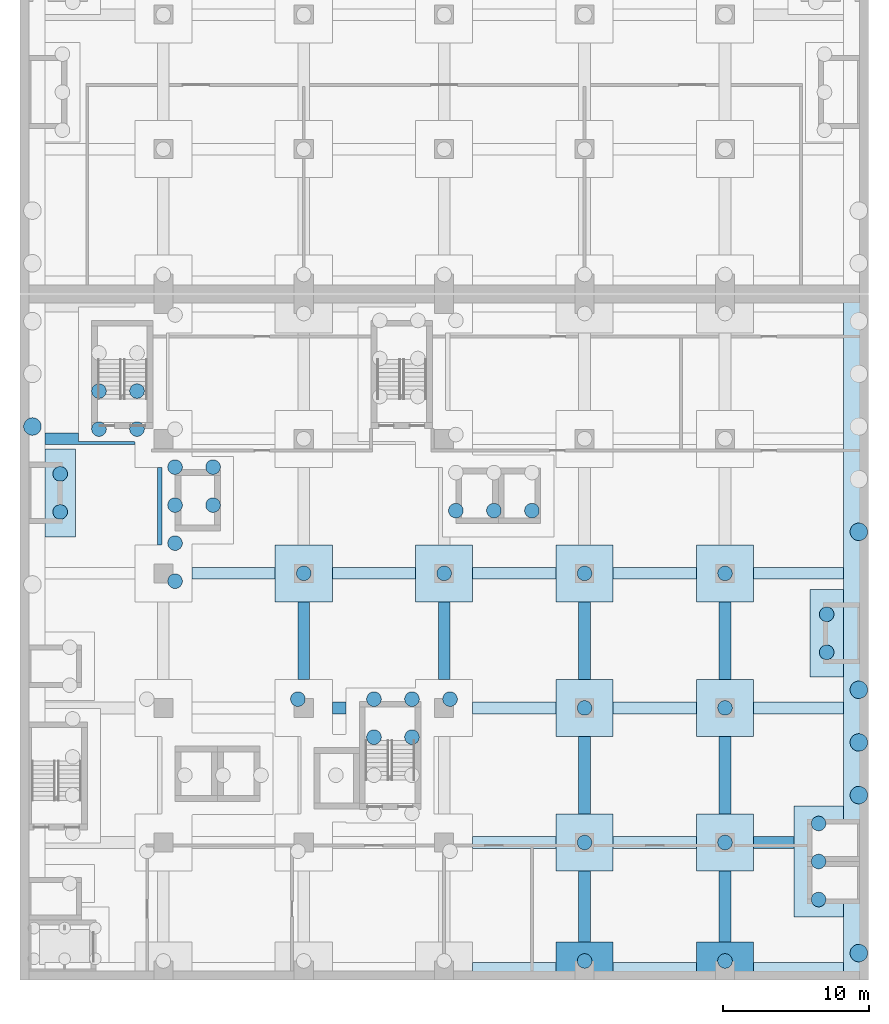
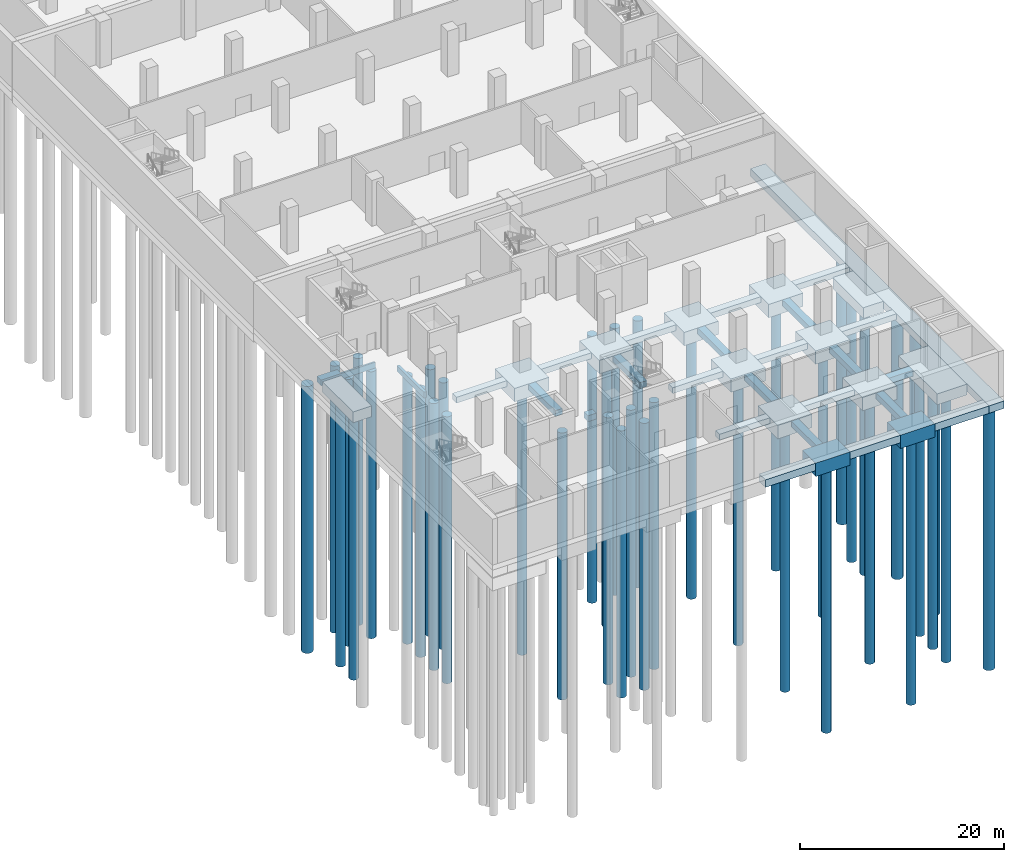
# One storey, part 2 of 33: 42 piles, 39 footings.
"""IFC4 building model written with IfcOpenShell, lengths in metres."""

from ifc_helpers import new_model, si_unit, direction, frame, origin, origin_2d, place, context, subcontext, project, spatial, polyline, circle, outline, extrude, material, layer, layer_set, material_profile, profile_set, type_object, element, save


model = new_model("IFC4")

# Units and contexts
model_context = context("Model", 3, precision=1e-05, world=origin(), true_north=direction((0.0, 1.0)))
body_context = subcontext(model_context, "Body", "Model", "MODEL_VIEW")
ifc_project = project(units=[si_unit("LENGTHUNIT", "METRE"), si_unit("AREAUNIT", "SQUARE_METRE"), si_unit("VOLUMEUNIT", "CUBIC_METRE"), si_unit("PLANEANGLEUNIT", "RADIAN"), si_unit("MASSUNIT", "GRAM", prefix="KILO")], contexts=[model_context])

# Site, building, storey
site_placement = place(None, origin())
site = spatial("IfcSite", under=ifc_project, at=site_placement, CompositionType="ELEMENT")
building_placement = place(site_placement, origin())
building = spatial("IfcBuilding", under=site, at=building_placement, Name="Nzadi Deep Aquarium and Research Tower", CompositionType="ELEMENT")
storey_placement = place(building_placement, frame((0.0, 0.0, -5.5)))
storey = spatial("IfcBuildingStorey", under=building, at=storey_placement, Name="B1", CompositionType="ELEMENT", Elevation=-5.5)

# Piles
ifc_material_1 = material(Name="Concrete C40/50", Category="concrete")
ifc_material_profile_1 = material_profile(ifc_material_1, circle(Radius=0.5, at=origin_2d()))
ifc_profile_set_1 = profile_set([ifc_material_profile_1], Name="Concrete C40/50")
pile_type_1 = type_object("IfcPileType", Name="Bored pile D1000", PredefinedType="BORED", material=ifc_profile_set_1)
for number, where, z_axis, x_axis, name in (
    (1, (38.39990234375, 1.10009765625, -2.10009765625), (0.0, 0.0, -1.0), (1.0, 0.0, 0.0), "P-Z1-04-1"),
    (2, (47.999755859375, 1.10009765625, -2.10009765625), (0.0, 0.0, -1.0), (1.0, 0.0, 0.0), "P-Z1-05-1"),
    (3, (54.39990234375, 5.300048828125, -1.800048828125), (0.0, 0.0, -1.0), (1.0, 0.0, 0.0), "P-Z1-06-1"),
    (4, (54.39990234375, 7.900146484375, -1.800048828125), (0.0, 0.0, -1.0), (1.0, 0.0, 0.0), "P-Z1-06-2"),
    (5, (54.39990234375, 10.5, -1.800048828125), (0.0, 0.0, -1.0), (1.0, 0.0, 0.0), "P-Z1-06-3"),
    (6, (18.800048828125, 19.0, -2.10009765625), (0.0, 0.0, -1.0), (1.0, 0.0, 0.0), "P-Z1-09-2"),
    (7, (24.0, 16.39990234375, -2.10009765625), (0.0, 0.0, -1.0), (1.0, 0.0, 0.0), "P-Z1-09-6"),
    (8, (24.0, 19.0, -2.10009765625), (0.0, 0.0, -1.0), (1.0, 0.0, 0.0), "P-Z1-09-7"),
    (9, (26.60009765625, 16.39990234375, -2.10009765625), (0.0, 0.0, -1.0), (1.0, 0.0, 0.0), "P-Z1-09-10"),
    (10, (26.60009765625, 19.0, -2.10009765625), (0.0, 0.0, -1.0), (1.0, 0.0, 0.0), "P-Z1-09-11"),
    (11, (29.199951171875, 19.0, -2.10009765625), (0.0, 0.0, -1.0), (1.0, 0.0, 0.0), "P-Z1-09-13"),
    (12, (38.39990234375, 9.2001953125, -2.10009765625), (0.0, 0.0, -1.0), (1.0, 0.0, 0.0), "P-Z1-10-1"),
    (13, (48.0, 9.2001953125, -2.10009765625), (0.0, 0.0, -1.0), (1.0, 0.0, 0.0), "P-Z1-11-1"),
    (14, (38.39990234375, 18.400146484375, -2.10009765625), (0.0, 0.0, -1.0), (1.0, 0.0, 0.0), "P-Z1-13-1"),
    (15, (48.0, 18.400146484375, -2.10009765625), (0.0, 0.0, -1.0), (1.0, 0.0, 0.0), "P-Z1-14-1"),
    (16, (54.949951171875, 22.2001953125, -1.800048828125), (0.0, 0.0, -1.0), (1.0, 0.0, 0.0), "P-Z1-16-1"),
    (17, (54.949951171875, 24.800048828125, -1.800048828125), (0.0, 0.0, -1.0), (1.0, 0.0, 0.0), "P-Z1-16-2"),
    (18, (5.199951171875, 37.465087890625, -2.10009765625), (0.0, 0.0, -1.0), (1.0, 0.0, 0.0), "P-Z1-17-1"),
    (19, (5.199951171875, 40.065185546875, -2.10009765625), (0.0, 0.0, -1.0), (1.0, 0.0, 0.0), "P-Z1-17-2"),
    (20, (7.800048828125, 37.465087890625, -2.10009765625), (0.0, 0.0, -1.0), (1.0, 0.0, 0.0), "P-Z1-17-4"),
    (21, (7.800048828125, 40.065185546875, -2.10009765625), (0.0, 0.0, -1.0), (1.0, 0.0, 0.0), "P-Z1-17-5"),
    (22, (10.39990234375, 27.065185546875, -2.10009765625), (0.0, 0.0, -1.0), (1.0, 0.0, 0.0), "P-Z1-17-7"),
    (23, (10.39990234375, 29.6650390625, -2.10009765625), (0.0, 0.0, -1.0), (1.0, 0.0, 0.0), "P-Z1-17-8"),
    (24, (10.39990234375, 32.26513671875, -2.10009765625), (0.0, 0.0, -1.0), (1.0, 0.0, 0.0), "P-Z1-17-9"),
    (25, (10.39990234375, 34.864990234375, -2.10009765625), (0.0, 0.0, -1.0), (1.0, 0.0, 0.0), "P-Z1-17-10"),
    (26, (13.0, 32.26513671875, -2.10009765625), (0.0, 0.0, -1.0), (1.0, 0.0, 0.0), "P-Z1-17-13"),
    (27, (13.0, 34.864990234375, -2.10009765625), (0.0, 0.0, -1.0), (1.0, 0.0, 0.0), "P-Z1-17-14"),
    (28, (19.199951171875, 27.60009765625, -2.10009765625), (0.0, 0.0, -1.0), (1.0, 0.0, 0.0), "P-Z1-18-1"),
    (29, (28.800048828125, 27.60009765625, -2.10009765625), (0.0, 0.0, -1.0), (1.0, 0.0, 0.0), "P-Z1-19-1"),
    (30, (38.39990234375, 27.60009765625, -2.10009765625), (0.0, 0.0, -1.0), (1.0, 0.0, 0.0), "P-Z1-20-1"),
    (31, (48.0, 27.60009765625, -2.10009765625), (0.0, 0.0, -1.0), (1.0, 0.0, 0.0), "P-Z1-21-1"),
    (32, (2.550048828125, 31.80029296875, -1.800048828125), (0.0, 0.0, -1.0), (1.0, 0.0, 0.0), "P-Z1-22-1"),
    (33, (2.550048828125, 34.400146484375, -1.800048828125), (0.0, 0.0, -1.0), (1.0, 0.0, 0.0), "P-Z1-22-2"),
    (34, (29.599853515625, 31.89013671875, -2.10009765625), (0.0, 0.0, -1.0), (1.0, 0.0, 0.0), "P-Z1-23-7"),
    (35, (32.199951171875, 31.89013671875, -2.10009765625), (0.0, 0.0, -1.0), (1.0, 0.0, 0.0), "P-Z1-23-11"),
    (36, (34.800048828125, 31.89013671875, -2.10009765625), (0.0, 0.0, -1.0), (1.0, 0.0, 0.0), "P-Z1-23-13"),
):
    element("IfcPile", number, at=place(storey_placement, frame(where, z_axis=z_axis, x_axis=x_axis)), inside=storey, type_object=pile_type_1, Name=name, PredefinedType="BORED", context=body_context, shape_type="SweptSolid", body=[
        extrude(circle(Radius=0.5, at=origin_2d()), origin(), (0.0, 0.0, 1.0), 32.0),
    ])
ifc_material_2 = material(Name="Concrete C40/50", Category="concrete")
ifc_material_profile_2 = material_profile(ifc_material_2, circle(Radius=0.60009765625, at=origin_2d()))
ifc_profile_set_2 = profile_set([ifc_material_profile_2], Name="Concrete C40/50")
pile_type_2 = type_object("IfcPileType", Name="Bored pile D1200", PredefinedType="BORED", material=ifc_profile_set_2)
for number, where, z_axis, x_axis, name in (
    (37, (0.64990234375, 37.639892578125, -1.39990234375), (0.0, 0.0, -1.0), (1.0, 0.0, 0.0), "P-Z1-Z1-W-2"),
    (38, (57.14990234375, 1.639892578125, -1.39990234375), (0.0, 0.0, -1.0), (1.0, 0.0, 0.0), "P-Z1-Z1-E-1"),
    (39, (57.14990234375, 12.43994140625, -1.39990234375), (0.0, 0.0, -1.0), (1.0, 0.0, 0.0), "P-Z1-Z1-E-2"),
    (40, (57.14990234375, 16.0400390625, -1.39990234375), (0.0, 0.0, -1.0), (1.0, 0.0, 0.0), "P-Z1-Z1-E-3"),
    (41, (57.14990234375, 19.639892578125, -1.39990234375), (0.0, 0.0, -1.0), (1.0, 0.0, 0.0), "P-Z1-Z1-E-4"),
    (42, (57.14990234375, 30.43994140625, -1.39990234375), (0.0, 0.0, -1.0), (1.0, 0.0, 0.0), "P-Z1-Z1-E-5"),
):
    element("IfcPile", number, at=place(storey_placement, frame(where, z_axis=z_axis, x_axis=x_axis)), inside=storey, type_object=pile_type_2, Name=name, PredefinedType="BORED", context=body_context, shape_type="SweptSolid", body=[
        extrude(circle(Radius=0.60009765625, at=origin_2d()), origin(), (0.0, 0.0, 1.0), 32.0),
    ])

# Footings
ifc_material_3 = material(Name="Concrete C40/50", Category="concrete")
ifc_layer_1 = layer(ifc_material_3, 0.699951171875)
ifc_layer_set_1 = layer_set([ifc_layer_1], Name="Concrete C40/50")
footing_type_1 = type_object("IfcFootingType", Name="RC ground beam 700", PredefinedType="FOOTING_BEAM", material=ifc_layer_set_1)
footing_1_placement = place(storey_placement, frame((0.0, 0.0, -1.300048828125)))
element("IfcFooting", 43, at=footing_1_placement, inside=storey, type_object=footing_type_1, Name="SF-Z1-TX2-4", PredefinedType="FOOTING_BEAM", context=body_context, shape_type="SweptSolid", body=[
    extrude(outline(polyline([(36.449951171875, 9.60009765625), (30.75, 9.60009765625), (30.75, 8.800048828125), (36.449951171875, 8.800048828125), (36.449951171875, 9.60009765625)])), origin(), (0.0, 0.0, 1.0), 0.699951171875),
])
footing_2_placement = place(storey_placement, frame((0.0, 0.0, -1.300048828125)))
element("IfcFooting", 44, at=footing_2_placement, inside=storey, type_object=footing_type_1, Name="SF-Z1-TX2-5", PredefinedType="FOOTING_BEAM", context=body_context, shape_type="SweptSolid", body=[
    extrude(outline(polyline([(46.050048828125, 9.60009765625), (40.35009765625, 9.60009765625), (40.35009765625, 8.800048828125), (46.050048828125, 8.800048828125), (46.050048828125, 9.60009765625)])), origin(), (0.0, 0.0, 1.0), 0.699951171875),
])
footing_3_placement = place(storey_placement, frame((0.0, 0.0, -1.300048828125)))
element("IfcFooting", 45, at=footing_3_placement, inside=storey, type_object=footing_type_1, Name="SF-Z1-TX2-6", PredefinedType="FOOTING_BEAM", context=body_context, shape_type="SweptSolid", body=[
    extrude(outline(polyline([(52.699951171875, 9.60009765625), (49.949951171875, 9.60009765625), (49.949951171875, 8.800048828125), (52.699951171875, 8.800048828125), (52.699951171875, 9.60009765625)])), origin(), (0.0, 0.0, 1.0), 0.699951171875),
])
footing_4_placement = place(storey_placement, frame((0.0, 0.0, -1.300048828125)))
element("IfcFooting", 46, at=footing_4_placement, inside=storey, type_object=footing_type_1, Name="SF-Z1-TX3-3", PredefinedType="FOOTING_BEAM", context=body_context, shape_type="SweptSolid", body=[
    extrude(outline(polyline([(22.10009765625, 18.800048828125), (21.14990234375, 18.800048828125), (21.14990234375, 18.0), (22.10009765625, 18.0), (22.10009765625, 18.800048828125)])), origin(), (0.0, 0.0, 1.0), 0.699951171875),
])
footing_5_placement = place(storey_placement, frame((0.0, 0.0, -1.300048828125)))
element("IfcFooting", 47, at=footing_5_placement, inside=storey, type_object=footing_type_1, Name="SF-Z1-TX3-4", PredefinedType="FOOTING_BEAM", context=body_context, shape_type="SweptSolid", body=[
    extrude(outline(polyline([(36.449951171875, 18.800048828125), (30.75, 18.800048828125), (30.75, 18.0), (36.449951171875, 18.0), (36.449951171875, 18.800048828125)])), origin(), (0.0, 0.0, 1.0), 0.699951171875),
])
footing_6_placement = place(storey_placement, frame((0.0, 0.0, -1.300048828125)))
element("IfcFooting", 48, at=footing_6_placement, inside=storey, type_object=footing_type_1, Name="SF-Z1-TX3-5", PredefinedType="FOOTING_BEAM", context=body_context, shape_type="SweptSolid", body=[
    extrude(outline(polyline([(46.050048828125, 18.800048828125), (40.35009765625, 18.800048828125), (40.35009765625, 18.0), (46.050048828125, 18.0), (46.050048828125, 18.800048828125)])), origin(), (0.0, 0.0, 1.0), 0.699951171875),
])
footing_7_placement = place(storey_placement, frame((0.0, 0.0, -1.300048828125)))
element("IfcFooting", 49, at=footing_7_placement, inside=storey, type_object=footing_type_1, Name="SF-Z1-TX3-6", PredefinedType="FOOTING_BEAM", context=body_context, shape_type="SweptSolid", body=[
    extrude(outline(polyline([(56.10009765625, 18.0), (56.10009765625, 18.800048828125), (49.949951171875, 18.800048828125), (49.949951171875, 18.0), (56.10009765625, 18.0)])), origin(), (0.0, 0.0, 1.0), 0.699951171875),
])
footing_8_placement = place(storey_placement, frame((0.0, 0.0, -1.300048828125)))
element("IfcFooting", 50, at=footing_8_placement, inside=storey, type_object=footing_type_1, Name="SF-Z1-TX4-2", PredefinedType="FOOTING_BEAM", context=body_context, shape_type="SweptSolid", body=[
    extrude(outline(polyline([(17.25, 28.0), (11.550048828125, 28.0), (11.550048828125, 27.199951171875), (17.25, 27.199951171875), (17.25, 28.0)])), origin(), (0.0, 0.0, 1.0), 0.699951171875),
])
footing_9_placement = place(storey_placement, frame((0.0, 0.0, -1.300048828125)))
element("IfcFooting", 51, at=footing_9_placement, inside=storey, type_object=footing_type_1, Name="SF-Z1-TX4-3", PredefinedType="FOOTING_BEAM", context=body_context, shape_type="SweptSolid", body=[
    extrude(outline(polyline([(26.85009765625, 28.0), (21.14990234375, 28.0), (21.14990234375, 27.199951171875), (26.85009765625, 27.199951171875), (26.85009765625, 28.0)])), origin(), (0.0, 0.0, 1.0), 0.699951171875),
])
footing_10_placement = place(storey_placement, frame((0.0, 0.0, -1.300048828125)))
element("IfcFooting", 52, at=footing_10_placement, inside=storey, type_object=footing_type_1, Name="SF-Z1-TX4-4", PredefinedType="FOOTING_BEAM", context=body_context, shape_type="SweptSolid", body=[
    extrude(outline(polyline([(36.449951171875, 28.0), (30.75, 28.0), (30.75, 27.199951171875), (36.449951171875, 27.199951171875), (36.449951171875, 28.0)])), origin(), (0.0, 0.0, 1.0), 0.699951171875),
])
footing_11_placement = place(storey_placement, frame((0.0, 0.0, -1.300048828125)))
element("IfcFooting", 53, at=footing_11_placement, inside=storey, type_object=footing_type_1, Name="SF-Z1-TX4-5", PredefinedType="FOOTING_BEAM", context=body_context, shape_type="SweptSolid", body=[
    extrude(outline(polyline([(46.050048828125, 28.0), (40.35009765625, 28.0), (40.35009765625, 27.199951171875), (46.050048828125, 27.199951171875), (46.050048828125, 28.0)])), origin(), (0.0, 0.0, 1.0), 0.699951171875),
])
footing_12_placement = place(storey_placement, frame((0.0, 0.0, -1.300048828125)))
element("IfcFooting", 54, at=footing_12_placement, inside=storey, type_object=footing_type_1, Name="SF-Z1-TX4-6", PredefinedType="FOOTING_BEAM", context=body_context, shape_type="SweptSolid", body=[
    extrude(outline(polyline([(56.10009765625, 27.199951171875), (56.10009765625, 28.0), (49.949951171875, 28.0), (49.949951171875, 27.199951171875), (56.10009765625, 27.199951171875)])), origin(), (0.0, 0.0, 1.0), 0.699951171875),
])
footing_13_placement = place(storey_placement, frame((0.0, 0.0, -1.300048828125)))
element("IfcFooting", 55, at=footing_13_placement, inside=storey, type_object=footing_type_1, Name="SF-Z1-TX5-1", PredefinedType="FOOTING_BEAM", context=body_context, shape_type="SweptSolid", body=[
    extrude(outline(polyline([(3.800048828125, 37.199951171875), (1.5, 37.199951171875), (1.5, 36.39990234375), (7.64990234375, 36.39990234375), (7.64990234375, 36.550048828125), (7.649658203125, 36.554931640625), (7.64892578125, 36.559814453125), (7.64794921875, 36.564453125), (7.646240234375, 36.569091796875), (7.64404296875, 36.573486328125), (7.6416015625, 36.577880859375), (7.638671875, 36.581787109375), (7.63525390625, 36.58544921875), (7.6318359375, 36.588623046875), (7.627685546875, 36.591552734375), (7.62353515625, 36.593994140625), (7.619140625, 36.59619140625), (7.614501953125, 36.597900390625), (7.60986328125, 36.59912109375), (7.60498046875, 36.599853515625), (7.60009765625, 36.60009765625), (3.80126953125, 36.60009765625), (3.800048828125, 36.60009765625), (3.800048828125, 36.601318359375), (3.800048828125, 37.199951171875)])), origin(), (0.0, 0.0, 1.0), 0.699951171875),
])
footing_14_placement = place(storey_placement, frame((0.0, 0.0, -1.300048828125)))
element("IfcFooting", 56, at=footing_14_placement, inside=storey, type_object=footing_type_1, Name="SF-Z1-TYB-4", PredefinedType="FOOTING_BEAM", context=body_context, shape_type="SweptSolid", body=[
    extrude(outline(polyline([(9.199951171875, 34.85009765625), (9.199951171875, 29.550048828125), (9.449951171875, 29.550048828125), (9.454833984375, 29.55029296875), (9.459716796875, 29.551025390625), (9.464599609375, 29.55224609375), (9.46923828125, 29.5537109375), (9.4736328125, 29.555908203125), (9.477783203125, 29.558349609375), (9.481689453125, 29.561279296875), (9.4853515625, 29.564697265625), (9.48876953125, 29.568359375), (9.491455078125, 29.572265625), (9.494140625, 29.576416015625), (9.49609375, 29.580810546875), (9.497802734375, 29.58544921875), (9.4990234375, 29.59033203125), (9.499755859375, 29.59521484375), (9.5, 29.60009765625), (9.5, 34.800048828125), (9.499755859375, 34.804931640625), (9.4990234375, 34.809814453125), (9.497802734375, 34.814453125), (9.49609375, 34.819091796875), (9.494140625, 34.823486328125), (9.491455078125, 34.827880859375), (9.48876953125, 34.831787109375), (9.4853515625, 34.83544921875), (9.481689453125, 34.838623046875), (9.477783203125, 34.841552734375), (9.4736328125, 34.843994140625), (9.46923828125, 34.84619140625), (9.464599609375, 34.847900390625), (9.459716796875, 34.84912109375), (9.454833984375, 34.849853515625), (9.449951171875, 34.85009765625), (9.199951171875, 34.85009765625)])), origin(), (0.0, 0.0, 1.0), 0.699951171875),
])
footing_15_placement = place(storey_placement, frame((0.0, 0.0, -1.300048828125)))
element("IfcFooting", 57, at=footing_15_placement, inside=storey, type_object=footing_type_1, Name="SF-Z1-TYC-3", PredefinedType="FOOTING_BEAM", context=body_context, shape_type="SweptSolid", body=[
    extrude(outline(polyline([(19.60009765625, 20.35009765625), (19.60009765625, 25.64990234375), (18.800048828125, 25.64990234375), (18.800048828125, 20.35009765625), (19.60009765625, 20.35009765625)])), origin(), (0.0, 0.0, 1.0), 0.699951171875),
])
footing_16_placement = place(storey_placement, frame((0.0, 0.0, -1.300048828125)))
element("IfcFooting", 58, at=footing_16_placement, inside=storey, type_object=footing_type_1, Name="SF-Z1-TYD-3", PredefinedType="FOOTING_BEAM", context=body_context, shape_type="SweptSolid", body=[
    extrude(outline(polyline([(29.199951171875, 20.35009765625), (29.199951171875, 25.64990234375), (28.39990234375, 25.64990234375), (28.39990234375, 20.35009765625), (29.199951171875, 20.35009765625)])), origin(), (0.0, 0.0, 1.0), 0.699951171875),
])
footing_17_placement = place(storey_placement, frame((0.0, 0.0, -1.300048828125)))
element("IfcFooting", 59, at=footing_17_placement, inside=storey, type_object=footing_type_1, Name="SF-Z1-TYE-1", PredefinedType="FOOTING_BEAM", context=body_context, shape_type="SweptSolid", body=[
    extrude(outline(polyline([(38.800048828125, 2.39990234375), (38.800048828125, 7.25), (38.0, 7.25), (38.0, 2.39990234375), (38.800048828125, 2.39990234375)])), origin(), (0.0, 0.0, 1.0), 0.699951171875),
])
footing_18_placement = place(storey_placement, frame((0.0, 0.0, -1.300048828125)))
element("IfcFooting", 60, at=footing_18_placement, inside=storey, type_object=footing_type_1, Name="SF-Z1-TYE-2", PredefinedType="FOOTING_BEAM", context=body_context, shape_type="SweptSolid", body=[
    extrude(outline(polyline([(38.800048828125, 11.14990234375), (38.800048828125, 16.449951171875), (38.0, 16.449951171875), (38.0, 11.14990234375), (38.800048828125, 11.14990234375)])), origin(), (0.0, 0.0, 1.0), 0.699951171875),
])
footing_19_placement = place(storey_placement, frame((0.0, 0.0, -1.300048828125)))
element("IfcFooting", 61, at=footing_19_placement, inside=storey, type_object=footing_type_1, Name="SF-Z1-TYE-3", PredefinedType="FOOTING_BEAM", context=body_context, shape_type="SweptSolid", body=[
    extrude(outline(polyline([(38.800048828125, 20.35009765625), (38.800048828125, 25.64990234375), (38.0, 25.64990234375), (38.0, 20.35009765625), (38.800048828125, 20.35009765625)])), origin(), (0.0, 0.0, 1.0), 0.699951171875),
])
footing_20_placement = place(storey_placement, frame((0.0, 0.0, -1.300048828125)))
element("IfcFooting", 62, at=footing_20_placement, inside=storey, type_object=footing_type_1, Name="SF-Z1-TYF-1", PredefinedType="FOOTING_BEAM", context=body_context, shape_type="SweptSolid", body=[
    extrude(outline(polyline([(48.39990234375, 2.39990234375), (48.39990234375, 7.25), (47.60009765625, 7.25), (47.60009765625, 2.39990234375), (48.39990234375, 2.39990234375)])), origin(), (0.0, 0.0, 1.0), 0.699951171875),
])
footing_21_placement = place(storey_placement, frame((0.0, 0.0, -1.300048828125)))
element("IfcFooting", 63, at=footing_21_placement, inside=storey, type_object=footing_type_1, Name="SF-Z1-TYF-2", PredefinedType="FOOTING_BEAM", context=body_context, shape_type="SweptSolid", body=[
    extrude(outline(polyline([(48.39990234375, 11.14990234375), (48.39990234375, 16.449951171875), (47.60009765625, 16.449951171875), (47.60009765625, 11.14990234375), (48.39990234375, 11.14990234375)])), origin(), (0.0, 0.0, 1.0), 0.699951171875),
])
footing_22_placement = place(storey_placement, frame((0.0, 0.0, -1.300048828125)))
element("IfcFooting", 64, at=footing_22_placement, inside=storey, type_object=footing_type_1, Name="SF-Z1-TYF-3", PredefinedType="FOOTING_BEAM", context=body_context, shape_type="SweptSolid", body=[
    extrude(outline(polyline([(48.39990234375, 20.35009765625), (48.39990234375, 25.64990234375), (47.60009765625, 25.64990234375), (47.60009765625, 20.35009765625), (48.39990234375, 20.35009765625)])), origin(), (0.0, 0.0, 1.0), 0.699951171875),
])
ifc_material_4 = material(Name="Concrete C40/50", Category="concrete")
ifc_layer_2 = layer(ifc_material_4, 1.300048828125)
ifc_layer_set_2 = layer_set([ifc_layer_2], Name="Concrete C40/50")
footing_type_2 = type_object("IfcFootingType", Name="RC pile cap 1300", PredefinedType="PILE_CAP", material=ifc_layer_set_2)
footing_23_placement = place(storey_placement, frame((0.0, 0.0, -1.89990234375)))
element("IfcFooting", 65, at=footing_23_placement, inside=storey, type_object=footing_type_2, Name="PC-Z1-06", PredefinedType="PILE_CAP", context=body_context, shape_type="SweptSolid", body=[
    extrude(outline(polyline([(52.699951171875, 11.69873046875), (52.699951171875, 4.101318359375), (52.699951171875, 4.10009765625), (52.701171875, 4.10009765625), (56.098876953125, 4.10009765625), (56.099853515625, 4.10009765625), (56.10009765625, 4.101318359375), (56.10009765625, 11.69873046875), (56.099853515625, 11.699951171875), (56.098876953125, 11.699951171875), (52.701171875, 11.699951171875), (52.699951171875, 11.699951171875), (52.699951171875, 11.69873046875)])), origin(), (0.0, 0.0, 1.0), 1.2998046875),
])
footing_24_placement = place(storey_placement, frame((0.0, 0.0, -1.89990234375)))
element("IfcFooting", 66, at=footing_24_placement, inside=storey, type_object=footing_type_2, Name="PC-Z1-16", PredefinedType="PILE_CAP", context=body_context, shape_type="SweptSolid", body=[
    extrude(outline(polyline([(53.800048828125, 26.498779296875), (53.800048828125, 20.501220703125), (53.800048828125, 20.5), (53.80126953125, 20.5), (56.098876953125, 20.5), (56.099853515625, 20.5), (56.10009765625, 20.501220703125), (56.10009765625, 26.498779296875), (56.099853515625, 26.5), (56.098876953125, 26.5), (53.80126953125, 26.5), (53.800048828125, 26.5), (53.800048828125, 26.498779296875)])), origin(), (0.0, 0.0, 1.0), 1.2998046875),
])
footing_25_placement = place(storey_placement, frame((0.0, 0.0, -1.89990234375)))
element("IfcFooting", 67, at=footing_25_placement, inside=storey, type_object=footing_type_2, Name="PC-Z1-22", PredefinedType="PILE_CAP", context=body_context, shape_type="SweptSolid", body=[
    extrude(outline(polyline([(1.5, 36.098876953125), (1.5, 30.101318359375), (1.5, 30.10009765625), (1.501220703125, 30.10009765625), (3.598876953125, 30.10009765625), (3.599853515625, 30.10009765625), (3.60009765625, 30.101318359375), (3.60009765625, 36.098876953125), (3.599853515625, 36.099853515625), (3.598876953125, 36.10009765625), (1.501220703125, 36.10009765625), (1.5, 36.099853515625), (1.5, 36.098876953125)])), origin(), (0.0, 0.0, 1.0), 1.2998046875),
])
ifc_material_5 = material(Name="Concrete C40/50", Category="concrete")
ifc_layer_3 = layer(ifc_material_5, 1.60009765625)
ifc_layer_set_3 = layer_set([ifc_layer_3], Name="Concrete C40/50")
footing_type_3 = type_object("IfcFootingType", Name="RC pile cap 1600", PredefinedType="PILE_CAP", material=ifc_layer_set_3)
footing_26_placement = place(storey_placement, frame((0.0, 0.0, -2.199951171875)))
element("IfcFooting", 68, at=footing_26_placement, inside=storey, type_object=footing_type_3, Name="PC-Z1-04", PredefinedType="PILE_CAP", context=body_context, shape_type="SweptSolid", body=[
    extrude(outline(polyline([(36.449951171875, 2.39990234375), (36.449951171875, 2.398681640625), (36.449951171875, -0.199951171875), (40.35009765625, -0.199951171875), (40.35009765625, 2.398681640625), (40.349853515625, 2.39990234375), (40.348876953125, 2.39990234375), (36.451171875, 2.39990234375), (36.449951171875, 2.39990234375)])), origin(), (0.0, 0.0, 1.0), 1.599853515625),
])
footing_27_placement = place(storey_placement, frame((0.0, 0.0, -2.199951171875)))
element("IfcFooting", 69, at=footing_27_placement, inside=storey, type_object=footing_type_3, Name="PC-Z1-05", PredefinedType="PILE_CAP", context=body_context, shape_type="SweptSolid", body=[
    extrude(outline(polyline([(46.050048828125, 2.39990234375), (46.050048828125, 2.398681640625), (46.050048828125, -0.199951171875), (49.949951171875, -0.199951171875), (49.949951171875, 2.398681640625), (49.949951171875, 2.39990234375), (49.94873046875, 2.39990234375), (46.05126953125, 2.39990234375), (46.050048828125, 2.39990234375)])), origin(), (0.0, 0.0, 1.0), 1.599853515625),
])
footing_28_placement = place(storey_placement, frame((0.0, 0.0, -2.199951171875)))
element("IfcFooting", 70, at=footing_28_placement, inside=storey, type_object=footing_type_3, Name="PC-Z1-10", PredefinedType="PILE_CAP", context=body_context, shape_type="SweptSolid", body=[
    extrude(outline(polyline([(36.449951171875, 11.148681640625), (36.449951171875, 7.251220703125), (36.449951171875, 7.25), (36.451171875, 7.25), (40.348876953125, 7.25), (40.349853515625, 7.25), (40.35009765625, 7.251220703125), (40.35009765625, 11.148681640625), (40.349853515625, 11.14990234375), (40.348876953125, 11.14990234375), (36.451171875, 11.14990234375), (36.449951171875, 11.14990234375), (36.449951171875, 11.148681640625)])), origin(), (0.0, 0.0, 1.0), 1.599853515625),
])
footing_29_placement = place(storey_placement, frame((0.0, 0.0, -2.199951171875)))
element("IfcFooting", 71, at=footing_29_placement, inside=storey, type_object=footing_type_3, Name="PC-Z1-11", PredefinedType="PILE_CAP", context=body_context, shape_type="SweptSolid", body=[
    extrude(outline(polyline([(46.050048828125, 11.148681640625), (46.050048828125, 7.251220703125), (46.050048828125, 7.25), (46.05126953125, 7.25), (49.94873046875, 7.25), (49.949951171875, 7.25), (49.949951171875, 7.251220703125), (49.949951171875, 11.148681640625), (49.949951171875, 11.14990234375), (49.94873046875, 11.14990234375), (46.05126953125, 11.14990234375), (46.050048828125, 11.14990234375), (46.050048828125, 11.148681640625)])), origin(), (0.0, 0.0, 1.0), 1.599853515625),
])
footing_30_placement = place(storey_placement, frame((0.0, 0.0, -2.199951171875)))
element("IfcFooting", 72, at=footing_30_placement, inside=storey, type_object=footing_type_3, Name="PC-Z1-13", PredefinedType="PILE_CAP", context=body_context, shape_type="SweptSolid", body=[
    extrude(outline(polyline([(36.449951171875, 20.348876953125), (36.449951171875, 16.451171875), (36.449951171875, 16.449951171875), (36.451171875, 16.449951171875), (40.348876953125, 16.449951171875), (40.349853515625, 16.449951171875), (40.35009765625, 16.451171875), (40.35009765625, 20.348876953125), (40.349853515625, 20.349853515625), (40.348876953125, 20.35009765625), (36.451171875, 20.35009765625), (36.449951171875, 20.349853515625), (36.449951171875, 20.348876953125)])), origin(), (0.0, 0.0, 1.0), 1.599853515625),
])
footing_31_placement = place(storey_placement, frame((0.0, 0.0, -2.199951171875)))
element("IfcFooting", 73, at=footing_31_placement, inside=storey, type_object=footing_type_3, Name="PC-Z1-14", PredefinedType="PILE_CAP", context=body_context, shape_type="SweptSolid", body=[
    extrude(outline(polyline([(46.050048828125, 20.348876953125), (46.050048828125, 16.451171875), (46.050048828125, 16.449951171875), (46.05126953125, 16.449951171875), (49.94873046875, 16.449951171875), (49.949951171875, 16.449951171875), (49.949951171875, 16.451171875), (49.949951171875, 20.348876953125), (49.949951171875, 20.349853515625), (49.94873046875, 20.35009765625), (46.05126953125, 20.35009765625), (46.050048828125, 20.349853515625), (46.050048828125, 20.348876953125)])), origin(), (0.0, 0.0, 1.0), 1.599853515625),
])
footing_32_placement = place(storey_placement, frame((0.0, 0.0, -2.199951171875)))
element("IfcFooting", 74, at=footing_32_placement, inside=storey, type_object=footing_type_3, Name="PC-Z1-18", PredefinedType="PILE_CAP", context=body_context, shape_type="SweptSolid", body=[
    extrude(outline(polyline([(17.25, 29.548828125), (17.25, 25.651123046875), (17.25, 25.650146484375), (17.251220703125, 25.64990234375), (21.148681640625, 25.64990234375), (21.14990234375, 25.650146484375), (21.14990234375, 25.651123046875), (21.14990234375, 29.548828125), (21.14990234375, 29.550048828125), (21.148681640625, 29.550048828125), (17.251220703125, 29.550048828125), (17.25, 29.550048828125), (17.25, 29.548828125)])), origin(), (0.0, 0.0, 1.0), 1.599853515625),
])
footing_33_placement = place(storey_placement, frame((0.0, 0.0, -2.199951171875)))
element("IfcFooting", 75, at=footing_33_placement, inside=storey, type_object=footing_type_3, Name="PC-Z1-19", PredefinedType="PILE_CAP", context=body_context, shape_type="SweptSolid", body=[
    extrude(outline(polyline([(26.85009765625, 29.548828125), (26.85009765625, 25.651123046875), (26.85009765625, 25.650146484375), (26.851318359375, 25.64990234375), (30.748779296875, 25.64990234375), (30.75, 25.650146484375), (30.75, 25.651123046875), (30.75, 29.548828125), (30.75, 29.550048828125), (30.748779296875, 29.550048828125), (26.851318359375, 29.550048828125), (26.85009765625, 29.550048828125), (26.85009765625, 29.548828125)])), origin(), (0.0, 0.0, 1.0), 1.599853515625),
])
footing_34_placement = place(storey_placement, frame((0.0, 0.0, -2.199951171875)))
element("IfcFooting", 76, at=footing_34_placement, inside=storey, type_object=footing_type_3, Name="PC-Z1-20", PredefinedType="PILE_CAP", context=body_context, shape_type="SweptSolid", body=[
    extrude(outline(polyline([(36.449951171875, 29.548828125), (36.449951171875, 25.651123046875), (36.449951171875, 25.650146484375), (36.451171875, 25.64990234375), (40.348876953125, 25.64990234375), (40.349853515625, 25.650146484375), (40.35009765625, 25.651123046875), (40.35009765625, 29.548828125), (40.349853515625, 29.550048828125), (40.348876953125, 29.550048828125), (36.451171875, 29.550048828125), (36.449951171875, 29.550048828125), (36.449951171875, 29.548828125)])), origin(), (0.0, 0.0, 1.0), 1.599853515625),
])
footing_35_placement = place(storey_placement, frame((0.0, 0.0, -2.199951171875)))
element("IfcFooting", 77, at=footing_35_placement, inside=storey, type_object=footing_type_3, Name="PC-Z1-21", PredefinedType="PILE_CAP", context=body_context, shape_type="SweptSolid", body=[
    extrude(outline(polyline([(46.050048828125, 29.548828125), (46.050048828125, 25.651123046875), (46.050048828125, 25.650146484375), (46.05126953125, 25.64990234375), (49.94873046875, 25.64990234375), (49.949951171875, 25.650146484375), (49.949951171875, 25.651123046875), (49.949951171875, 29.548828125), (49.949951171875, 29.550048828125), (49.94873046875, 29.550048828125), (46.05126953125, 29.550048828125), (46.050048828125, 29.550048828125), (46.050048828125, 29.548828125)])), origin(), (0.0, 0.0, 1.0), 1.599853515625),
])
ifc_material_6 = material(Name="Concrete C40/50", Category="concrete")
ifc_layer_4 = layer(ifc_material_6, 0.89990234375)
ifc_layer_set_4 = layer_set([ifc_layer_4], Name="Concrete C40/50")
footing_type_4 = type_object("IfcFootingType", Name="RC strip footing 900", PredefinedType="STRIP_FOOTING", material=ifc_layer_set_4)
footing_36_placement = place(storey_placement, frame((0.0, 0.0, -1.5)))
element("IfcFooting", 78, at=footing_36_placement, inside=storey, type_object=footing_type_4, Name="SF-Z1-E", PredefinedType="STRIP_FOOTING", context=body_context, shape_type="SweptSolid", body=[
    extrude(outline(polyline([(57.799560546875, -0.199951171875), (57.799560546875, 46.679931640625), (56.10009765625, 46.679931640625), (56.10009765625, -0.199951171875), (57.799560546875, -0.199951171875)])), origin(), (0.0, 0.0, 1.0), 0.89990234375),
])
footing_37_placement = place(storey_placement, frame((0.0, 0.0, -1.5)))
element("IfcFooting", 79, at=footing_37_placement, inside=storey, type_object=footing_type_4, Name="SF-Z1-S-1", PredefinedType="STRIP_FOOTING", context=body_context, shape_type="SweptSolid", body=[
    extrude(outline(polyline([(56.10009765625, 1.0), (49.949951171875, 1.0), (49.949951171875, -0.199951171875), (56.10009765625, -0.199951171875), (56.10009765625, 1.0)])), origin(), (0.0, 0.0, 1.0), 0.89990234375),
])
footing_38_placement = place(storey_placement, frame((0.0, 0.0, -1.5)))
element("IfcFooting", 80, at=footing_38_placement, inside=storey, type_object=footing_type_4, Name="SF-Z1-S-2", PredefinedType="STRIP_FOOTING", context=body_context, shape_type="SweptSolid", body=[
    extrude(outline(polyline([(46.050048828125, 1.0), (40.35009765625, 1.0), (40.35009765625, -0.199951171875), (46.050048828125, -0.199951171875), (46.050048828125, 1.0)])), origin(), (0.0, 0.0, 1.0), 0.89990234375),
])
footing_39_placement = place(storey_placement, frame((0.0, 0.0, -1.5)))
element("IfcFooting", 81, at=footing_39_placement, inside=storey, type_object=footing_type_4, Name="SF-Z1-S-3", PredefinedType="STRIP_FOOTING", context=body_context, shape_type="SweptSolid", body=[
    extrude(outline(polyline([(36.449951171875, 1.0), (30.75, 1.0), (30.75, -0.199951171875), (36.449951171875, -0.199951171875), (36.449951171875, 1.0)])), origin(), (0.0, 0.0, 1.0), 0.89990234375),
])

save(model, "model.ifc")
